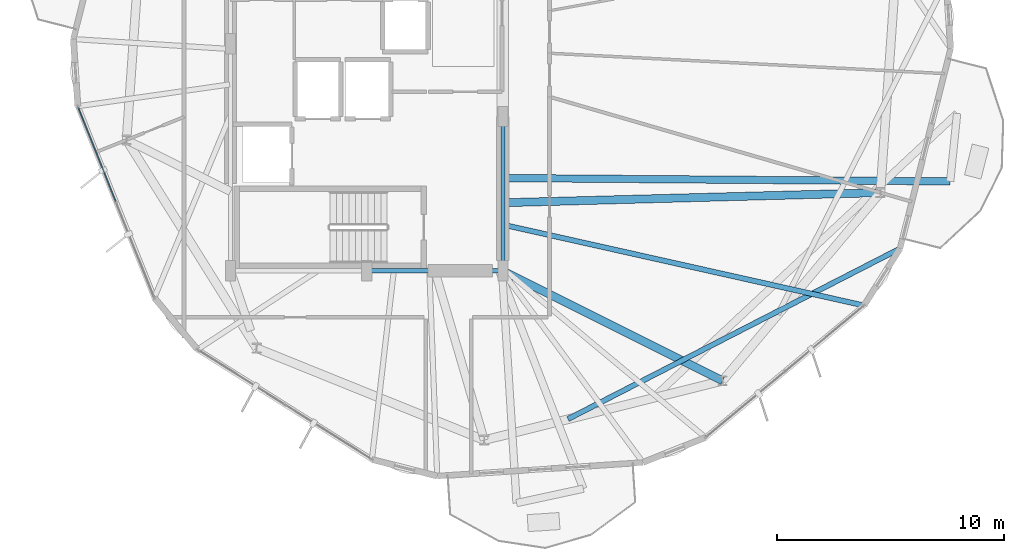
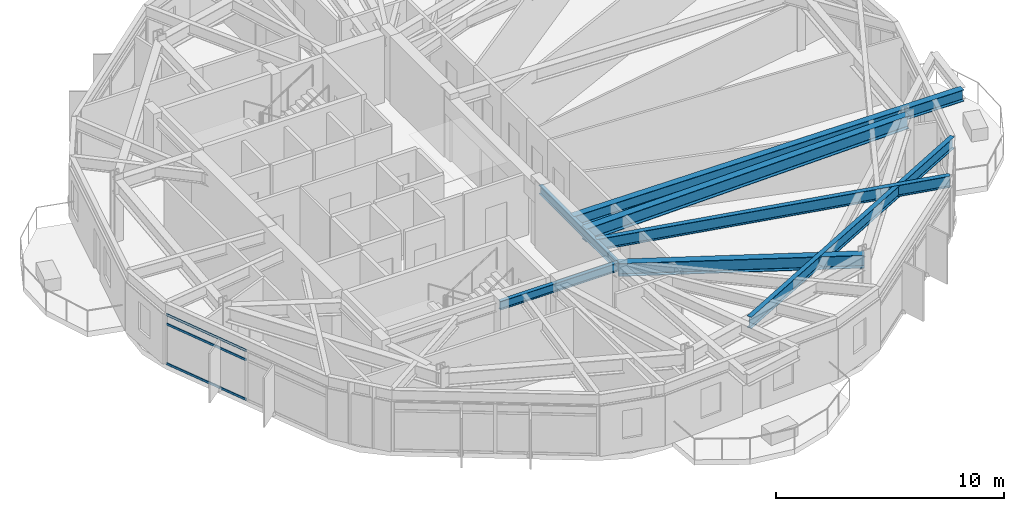
# One storey, part 6 of 24: 7 beams, 3 members, 1 element without a shape of its own.
"""IFC4 building model written with IfcOpenShell, lengths in metres."""

import ifcopenshell
import ifcopenshell.guid

model = None  # the IFC model being written
_history = None  # IfcOwnerHistory: only IFC2X3 demands one
_inside = {}  # id of a spatial element -> (the spatial element, [elements in it])
_under = {}  # id of a project, library or spatial element -> (it, [spatial elements below it])
_declared = {}  # id of a project -> (the project, [libraries it declares])
_typed = {}  # id of a type object -> (the type object, [elements of that type])
_made_of = {}  # id of a material, layer set ... -> (it, [elements and type objects made of it])


def new_model(schema):
    """Start an empty IFC model of exactly this schema.

    Asked for "IFC4X3", IfcOpenShell would pick the latest addendum, in which some entities
    have other attributes; the version numbers below select the first issue.
    IFC2X3 requires an IfcOwnerHistory on every rooted entity: one is made here for all.
    """
    global model, _history
    if schema == "IFC4X3":
        model = ifcopenshell.file(schema_version=(4, 3, 0, 0))
    else:
        model = ifcopenshell.file(schema=schema)
    _inside.clear()
    _under.clear()
    _declared.clear()
    _typed.clear()
    _made_of.clear()
    _history = None
    if model.schema == "IFC2X3":
        org = make("IfcOrganization", Name="unknown")
        user = make(
            "IfcPersonAndOrganization",
            ThePerson=make("IfcPerson", FamilyName="unknown"),
            TheOrganization=org,
        )
        app = make(
            "IfcApplication",
            ApplicationDeveloper=org,
            Version="unknown",
            ApplicationFullName="unknown",
            ApplicationIdentifier="unknown",
        )
        _history = make(
            "IfcOwnerHistory",
            OwningUser=user,
            OwningApplication=app,
            ChangeAction="ADDED",
            CreationDate=0,
        )
    return model


def make(cls, **values):
    """One entity of the class cls with the attributes given. An attribute that is None is left unset."""
    return model.create_entity(
        cls, **{name: value for name, value in values.items() if value is not None}
    )


def rooted(cls, **values):
    """An entity with a GlobalId (a new one), such as an element, a storey or a relation."""
    return make(cls, GlobalId=ifcopenshell.guid.new(), OwnerHistory=_history, **values)


def si_unit(unit_type, name, prefix=None):
    """IfcSIUnit, for example si_unit("LENGTHUNIT", "METRE", prefix="MILLI")."""
    return make("IfcSIUnit", UnitType=unit_type, Prefix=prefix, Name=name)


def assignment(units):
    """IfcUnitAssignment: the units of a project."""
    return None if units is None else make("IfcUnitAssignment", Units=units)


def point(xyz):
    """IfcCartesianPoint."""
    return None if xyz is None else make("IfcCartesianPoint", Coordinates=xyz)


def direction(xyz):
    """IfcDirection."""
    return None if xyz is None else make("IfcDirection", DirectionRatios=xyz)


def frame(location, z_axis=None, x_axis=None):
    """IfcAxis2Placement3D, a coordinate frame: its origin and axes. An axis left out is left unset."""
    return make(
        "IfcAxis2Placement3D",
        Location=point(location),
        Axis=direction(z_axis),
        RefDirection=direction(x_axis),
    )


def frame_2d(location, x_axis=None):
    """IfcAxis2Placement2D, a coordinate frame in the plane: its origin and x axis."""
    return make(
        "IfcAxis2Placement2D", Location=point(location), RefDirection=direction(x_axis)
    )


def origin():
    """The frame at (0, 0, 0) with its axes left unset."""
    return frame((0.0, 0.0, 0.0))


def origin_2d():
    """The frame at (0, 0) in the plane with its x axis left unset."""
    return frame_2d((0.0, 0.0))


def place(relative_to, where):
    """IfcLocalPlacement: puts the frame where relative to a parent placement (None: the world)."""
    return make(
        "IfcLocalPlacement", PlacementRelTo=relative_to, RelativePlacement=where
    )


def context(
    kind, dimensions, precision=None, world=None, true_north=None, identifier=None
):
    """IfcGeometricRepresentationContext, for example the 3D "Model" context."""
    return make(
        "IfcGeometricRepresentationContext",
        ContextIdentifier=identifier,
        ContextType=kind,
        CoordinateSpaceDimension=dimensions,
        Precision=precision,
        WorldCoordinateSystem=world,
        TrueNorth=true_north,
    )


def subcontext(parent, identifier, kind, view, scale=None):
    """IfcGeometricRepresentationSubContext, for example "Body" below "Model"."""
    return make(
        "IfcGeometricRepresentationSubContext",
        ContextIdentifier=identifier,
        ContextType=kind,
        ParentContext=parent,
        TargetScale=scale,
        TargetView=view,
    )


def project(units=None, contexts=None):
    """IfcProject with its units and contexts."""
    return rooted(
        "IfcProject",
        Name="project",
        RepresentationContexts=contexts,
        UnitsInContext=assignment(units),
    )


def spatial(cls, under=None, at=None, **own):
    """A site, building, storey or space (cls), placed at a placement, below another one or the project."""
    s = rooted(cls, ObjectPlacement=at, **own)
    if under is not None:
        _under.setdefault(under.id(), (under, []))[1].append(s)
    return s


def profile(cls, at=None, kind="AREA", **sizes):
    """A parametric profile (cls). Its sizes go by their IFC names, for example OverallWidth=200.0."""
    return make(cls, ProfileType=kind, Position=at, **sizes)


def hollow_rectangle(**sizes):
    """IfcRectangleHollowProfileDef."""
    return profile("IfcRectangleHollowProfileDef", **sizes)


def i_section(**sizes):
    """IfcIShapeProfileDef."""
    return profile("IfcIShapeProfileDef", **sizes)


def extrude(swept, where, along, depth):
    """IfcExtrudedAreaSolid: the profile swept, set in the frame where, extruded along a direction by depth."""
    return make(
        "IfcExtrudedAreaSolid",
        SweptArea=swept,
        Position=where,
        ExtrudedDirection=direction(along),
        Depth=depth,
    )


def shape(context_of_items, identifier, shape_type, items):
    """IfcShapeRepresentation: the items that make up one representation, for example the "Body"."""
    return make(
        "IfcShapeRepresentation",
        ContextOfItems=context_of_items,
        RepresentationIdentifier=identifier,
        RepresentationType=shape_type,
        Items=items,
    )


def material(Name=None, Category=None):
    """IfcMaterial."""
    return make("IfcMaterial", Name=Name, Category=Category)


def layer(
    of_material, thickness, ventilated=None, Name=None, Category=None, Priority=None
):
    """IfcMaterialLayer: one layer of a wall or slab, of a material (None: an air gap)."""
    return make(
        "IfcMaterialLayer",
        Material=of_material,
        LayerThickness=thickness,
        IsVentilated=ventilated,
        Name=Name,
        Category=Category,
        Priority=Priority,
    )


def layer_set(layers, Name=None):
    """IfcMaterialLayerSet."""
    return make("IfcMaterialLayerSet", MaterialLayers=layers, LayerSetName=Name)


def material_profile(
    of_material, cross_section, Name=None, Category=None, Priority=None
):
    """IfcMaterialProfile: a cross section and its material."""
    return make(
        "IfcMaterialProfile",
        Name=Name,
        Material=of_material,
        Profile=cross_section,
        Priority=Priority,
        Category=Category,
    )


def profile_set(profiles, Name=None, composite=None):
    """IfcMaterialProfileSet."""
    return make(
        "IfcMaterialProfileSet",
        Name=Name,
        MaterialProfiles=profiles,
        CompositeProfile=composite,
    )


def made_of(thing, what):
    """Note that an element or type object is made of a material, layer set ...; save() writes the relation."""
    if what is not None:
        _made_of.setdefault(what.id(), (what, []))[1].append(thing)
    return thing


def type_object(cls, material=None, **own):
    """A type object (cls), such as IfcWallType, which elements share."""
    return made_of(rooted(cls, **own), material)


def element(
    cls,
    number,
    at=None,
    inside=None,
    cuts=None,
    type_object=None,
    material=None,
    context=None,
    identifier="Body",
    shape_type=None,
    held_by="IfcProductDefinitionShape",
    body=None,
    shapes=None,
    **own,
):
    """One element of the class cls, such as IfcWall. Its Tag is "e" and its number.

    at: its placement. inside: the storey or other place that contains it. cuts: it is an
    opening in that element (IfcRelVoidsElement). A single representation is given by context,
    identifier, shape_type and body (its items); several are given by shapes. held_by: the class
    of the entity that holds the representations. save() writes the other relations.
    """
    e = rooted(cls, Tag="e%d" % number, ObjectPlacement=at, **own)
    if body is not None:
        shapes = [shape(context, identifier, shape_type, body)]
    if shapes is not None:
        e.Representation = make(held_by, Representations=shapes)
    if inside is not None:
        _inside.setdefault(inside.id(), (inside, []))[1].append(e)
    if cuts is not None:
        rooted(
            "IfcRelVoidsElement", RelatingBuildingElement=cuts, RelatedOpeningElement=e
        )
    if type_object is not None:
        _typed.setdefault(type_object.id(), (type_object, []))[1].append(e)
    return made_of(e, material)


def aggregate(whole, parts):
    """IfcRelAggregates: a whole, such as a stair, and the parts it consists of."""
    return rooted("IfcRelAggregates", RelatingObject=whole, RelatedObjects=parts)


def save(model, path):
    """Write the relations noted so far, then the file.

    IfcRelAggregates (storeys below a building ...), IfcRelContainedInSpatialStructure (elements
    in a storey), IfcRelDefinesByType, IfcRelAssociatesMaterial and IfcRelDeclares: one each for
    every whole, place, type object, material and project.
    """
    for whole, parts in _under.values():
        aggregate(whole, parts)
    for where, things in _inside.values():
        rooted(
            "IfcRelContainedInSpatialStructure",
            RelatedElements=things,
            RelatingStructure=where,
        )
    for kind, things in _typed.values():
        rooted("IfcRelDefinesByType", RelatedObjects=things, RelatingType=kind)
    for what, things in _made_of.values():
        rooted("IfcRelAssociatesMaterial", RelatedObjects=things, RelatingMaterial=what)
    for by, libraries in _declared.values():
        rooted("IfcRelDeclares", RelatingContext=by, RelatedDefinitions=libraries)
    model.write(path)


model = new_model("IFC4")

# Units and contexts
model_context = context("Model", 3, precision=1e-05, world=origin(), true_north=direction((0.0, 1.0)))
body_context = subcontext(model_context, "Body", "Model", "MODEL_VIEW")
ifc_project = project(units=[si_unit("LENGTHUNIT", "METRE"), si_unit("AREAUNIT", "SQUARE_METRE"), si_unit("VOLUMEUNIT", "CUBIC_METRE"), si_unit("PLANEANGLEUNIT", "RADIAN"), si_unit("MASSUNIT", "GRAM", prefix="KILO")], contexts=[model_context])

# Site, building, storey
site_placement = place(None, origin())
site = spatial("IfcSite", under=ifc_project, at=site_placement, CompositionType="ELEMENT")
building_placement = place(site_placement, origin())
building = spatial("IfcBuilding", under=site, at=building_placement, Name="Soratama Intermodal Tower", CompositionType="ELEMENT")
storey_placement = place(building_placement, frame((0.0, 0.0, 178.60009765625)))
storey = spatial("IfcBuildingStorey", under=building, at=storey_placement, Name="L44", CompositionType="ELEMENT", Elevation=178.60009765625)

# Beams
ifc_material_1 = material(Name="Structural steel ASTM A992 Grade 50", Category="steel")
ifc_material_profile_1 = material_profile(ifc_material_1, i_section(OverallWidth=0.324951171875, OverallDepth=0.615966796875, WebThickness=0.013916015625, FlangeThickness=0.021484375, FilletRadius=0.013916015625, at=origin_2d()), Name="W24X117")
ifc_profile_set_1 = profile_set([ifc_material_profile_1], Name="Structural steel ASTM A992 Grade 50")
beam_type_1 = type_object("IfcBeamType", Name="BM-CANT-W24X117", PredefinedType="BEAM", material=ifc_profile_set_1)
beam_1_placement = place(storey_placement, frame((44.639892578125, 19.087890625, 2.991943359375), z_axis=(0.999972063971, -0.00747470923, 0.0), x_axis=(0.00747470923, 0.999972063971, 0.0)))
element("IfcBeam", 1, at=beam_1_placement, inside=storey, type_object=beam_type_1, Name="BM-L44-CANT-1-1", PredefinedType="BEAM", context=body_context, shape_type="SweptSolid", body=[
    extrude(i_section(OverallWidth=0.324951171875, OverallDepth=0.615966796875, WebThickness=0.013916015625, FlangeThickness=0.021484375, FilletRadius=0.013916015625, at=origin_2d()), origin(), (0.0, 0.0, 1.0), 19.66259765625),
])
ifc_material_2 = material(Name="Structural steel ASTM A992 Grade 50", Category="steel")
ifc_material_profile_2 = material_profile(ifc_material_2, i_section(OverallWidth=0.19091796875, OverallDepth=0.4599609375, WebThickness=0.010009765625, FlangeThickness=0.01611328125, FilletRadius=0.010986328125, at=origin_2d()), Name="W18X55")
ifc_profile_set_2 = profile_set([ifc_material_profile_2], Name="Structural steel ASTM A992 Grade 50")
beam_type_2 = type_object("IfcBeamType", Name="BM-FLR-W18X55", PredefinedType="BEAM", material=ifc_profile_set_2)
beam_2_placement = place(storey_placement, frame((38.60009765625, 15.0, 3.06982421875), z_axis=(1.0, 0.0, 0.0), x_axis=(0.0, 1.0, 0.0)))
element("IfcBeam", 2, at=beam_2_placement, inside=storey, type_object=beam_type_2, Name="BM-L44-CRING-02", PredefinedType="BEAM", context=body_context, shape_type="SweptSolid", body=[
    extrude(i_section(OverallWidth=0.19091796875, OverallDepth=0.4599609375, WebThickness=0.010009765625, FlangeThickness=0.01611328125, FilletRadius=0.010986328125, at=origin_2d()), origin(), (0.0, 0.0, 1.0), 6.0),
])
beam_3_placement = place(storey_placement, frame((44.60009765625, 15.0, 3.06982421875), z_axis=(0.0, 1.0, 0.0), x_axis=(-1.0, 0.0, 0.0)))
element("IfcBeam", 3, at=beam_3_placement, inside=storey, type_object=beam_type_2, Name="BM-L44-CRING-03", PredefinedType="BEAM", context=body_context, shape_type="SweptSolid", body=[
    extrude(i_section(OverallWidth=0.19091796875, OverallDepth=0.4599609375, WebThickness=0.010009765625, FlangeThickness=0.01611328125, FilletRadius=0.010986328125, at=origin_2d()), origin(), (0.0, 0.0, 1.0), 6.800048828125),
])
ifc_material_3 = material(Name="Structural steel ASTM A992 Grade 50", Category="steel")
ifc_material_profile_3 = material_profile(ifc_material_3, i_section(OverallWidth=0.35498046875, OverallDepth=0.695068359375, WebThickness=0.015380859375, FlangeThickness=0.02490234375, FilletRadius=0.01611328125, at=origin_2d()), Name="W27X146")
ifc_profile_set_3 = profile_set([ifc_material_profile_3], Name="Structural steel ASTM A992 Grade 50")
beam_type_3 = type_object("IfcBeamType", Name="BM-RING-W27X146", PredefinedType="BEAM", material=ifc_profile_set_3)
beam_4_placement = place(storey_placement, frame((44.60009765625, 15.0, 2.952392578125), z_axis=(0.894273669201, -0.447520507434, 0.0), x_axis=(0.447520507434, 0.894273669201, 0.0)))
element("IfcBeam", 4, at=beam_4_placement, inside=storey, type_object=beam_type_3, Name="BM-L44-RAD-09", PredefinedType="BEAM", context=body_context, shape_type="SweptSolid", body=[
    extrude(i_section(OverallWidth=0.35498046875, OverallDepth=0.695068359375, WebThickness=0.015380859375, FlangeThickness=0.02490234375, FilletRadius=0.01611328125, at=origin_2d()), origin(), (0.0, 0.0, 1.0), 10.817626953125),
])
beam_5_placement = place(storey_placement, frame((44.60009765625, 18.0, 2.952392578125), z_axis=(0.999643459503, 0.026701196077, 0.0), x_axis=(-0.026701196077, 0.999643459503, 0.0)))
element("IfcBeam", 5, at=beam_5_placement, inside=storey, type_object=beam_type_3, Name="BM-L44-RAD-10", PredefinedType="BEAM", context=body_context, shape_type="SweptSolid", body=[
    extrude(i_section(OverallWidth=0.35498046875, OverallDepth=0.695068359375, WebThickness=0.015380859375, FlangeThickness=0.02490234375, FilletRadius=0.01611328125, at=origin_2d()), origin(), (0.0, 0.0, 1.0), 16.6318359375),
])
ifc_material_4 = material(Name="Structural steel ASTM A992 Grade 50", Category="steel")
ifc_material_profile_4 = material_profile(ifc_material_4, i_section(OverallWidth=0.22900390625, OverallDepth=0.612060546875, WebThickness=0.011962890625, FlangeThickness=0.01953125, FilletRadius=0.012939453125, at=origin_2d()), Name="W24X84")
ifc_profile_set_4 = profile_set([ifc_material_profile_4], Name="Structural steel ASTM A992 Grade 50")
beam_type_4 = type_object("IfcBeamType", Name="BM-TIE-W24X84", PredefinedType="BEAM", material=ifc_profile_set_4)
beam_6_placement = place(storey_placement, frame((44.638916015625, 17.02587890625, 2.993896484375), z_axis=(0.975833634155, -0.218514801446, 0.0), x_axis=(0.218514801446, 0.975833634155, 0.0)))
element("IfcBeam", 6, at=beam_6_placement, inside=storey, type_object=beam_type_4, Name="BM-L44-TIE1-08", PredefinedType="BEAM", context=body_context, shape_type="SweptSolid", body=[
    extrude(i_section(OverallWidth=0.22900390625, OverallDepth=0.612060546875, WebThickness=0.011962890625, FlangeThickness=0.01953125, FilletRadius=0.012939453125, at=origin_2d()), origin(), (0.0, 0.0, 1.0), 16.26416015625),
])
beam_7_placement = place(storey_placement, frame((47.467041015625, 8.471923828125, 2.993896484375), z_axis=(0.889570116865, 0.456798650589, 0.0), x_axis=(-0.456798650589, 0.889570116865, 0.0)))
element("IfcBeam", 7, at=beam_7_placement, inside=storey, type_object=beam_type_4, Name="BM-L44-TIE0-09", PredefinedType="BEAM", context=body_context, shape_type="SweptSolid", body=[
    extrude(i_section(OverallWidth=0.22900390625, OverallDepth=0.612060546875, WebThickness=0.011962890625, FlangeThickness=0.01953125, FilletRadius=0.012939453125, at=origin_2d()), origin(), (0.0, 0.0, 1.0), 16.4404296875),
])

# Curtain wall, members
ifc_material_5 = material(Name="Double-glazed aluminium curtain wall", Category="aluminium")
ifc_layer = layer(ifc_material_5, 0.159912109375)
ifc_layer_set = layer_set([ifc_layer], Name="Double-glazed aluminium curtain wall")
curtain_wall_type = type_object("IfcCurtainWallType", Name="CW-SYS-4", PredefinedType="NOTDEFINED", material=ifc_layer_set)
curtain_wall_placement = place(storey_placement, origin())
curtain_wall = element("IfcCurtainWall", 8, at=curtain_wall_placement, inside=storey, type_object=curtain_wall_type, Name="L44 Faceted Curtain Wall F05", PredefinedType="NOTDEFINED")
ifc_material_6 = material(Name="Anodised aluminium AA 6063-T6", Category="aluminium")
ifc_material_profile_5 = material_profile(ifc_material_6, hollow_rectangle(XDim=0.06005859375, YDim=0.1298828125, WallThickness=0.0048828125, InnerFilletRadius=0.0048828125, OuterFilletRadius=0.010009765625, at=origin_2d()), Name="CWT130X60X5")
ifc_profile_set_5 = profile_set([ifc_material_profile_5], Name="Anodised aluminium AA 6063-T6")
member_type = type_object("IfcMemberType", Name="TT-CWT-2", PredefinedType="USERDEFINED", material=ifc_profile_set_5)
member_1_placement = place(storey_placement, frame((25.89404296875, 22.194091796875, 0.02978515625), z_axis=(0.371012585949, -0.928627837762, 0.0), x_axis=(0.928627837762, 0.371012585949, 0.0)))
member_1 = element("IfcMember", 9, at=member_1_placement, type_object=member_type, Name="CW-4 transom 1.1", ObjectType="TRANSOM", PredefinedType="USERDEFINED", context=body_context, shape_type="SweptSolid", body=[
    extrude(hollow_rectangle(XDim=0.06005859375, YDim=0.1298828125, WallThickness=0.0048828125, InnerFilletRadius=0.0048828125, OuterFilletRadius=0.010009765625, at=origin_2d()), origin(), (0.0, 0.0, 1.0), 4.45361328125),
])
member_2_placement = place(storey_placement, frame((25.89404296875, 22.194091796875, 2.14990234375), z_axis=(0.371012585949, -0.928627837762, 0.0), x_axis=(0.928627837762, 0.371012585949, 0.0)))
member_2 = element("IfcMember", 10, at=member_2_placement, type_object=member_type, Name="CW-4 transom 1.2", ObjectType="TRANSOM", PredefinedType="USERDEFINED", context=body_context, shape_type="SweptSolid", body=[
    extrude(hollow_rectangle(XDim=0.06005859375, YDim=0.1298828125, WallThickness=0.0048828125, InnerFilletRadius=0.0048828125, OuterFilletRadius=0.010009765625, at=origin_2d()), origin(), (0.0, 0.0, 1.0), 4.45361328125),
])
member_3_placement = place(storey_placement, frame((25.89404296875, 22.194091796875, 2.64892578125), z_axis=(0.371012585949, -0.928627837762, 0.0), x_axis=(0.928627837762, 0.371012585949, 0.0)))
member_3 = element("IfcMember", 11, at=member_3_placement, type_object=member_type, Name="CW-4 transom 1.3", ObjectType="TRANSOM", PredefinedType="USERDEFINED", context=body_context, shape_type="SweptSolid", body=[
    extrude(hollow_rectangle(XDim=0.06005859375, YDim=0.1298828125, WallThickness=0.0048828125, InnerFilletRadius=0.0048828125, OuterFilletRadius=0.010009765625, at=origin_2d()), origin(), (0.0, 0.0, 1.0), 4.45361328125),
])
aggregate(curtain_wall, [member_1, member_2, member_3])

save(model, "model.ifc")
